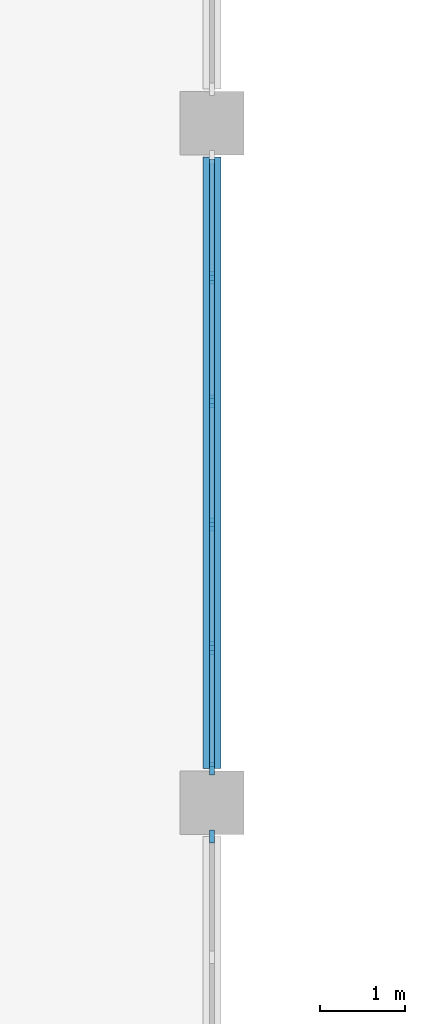
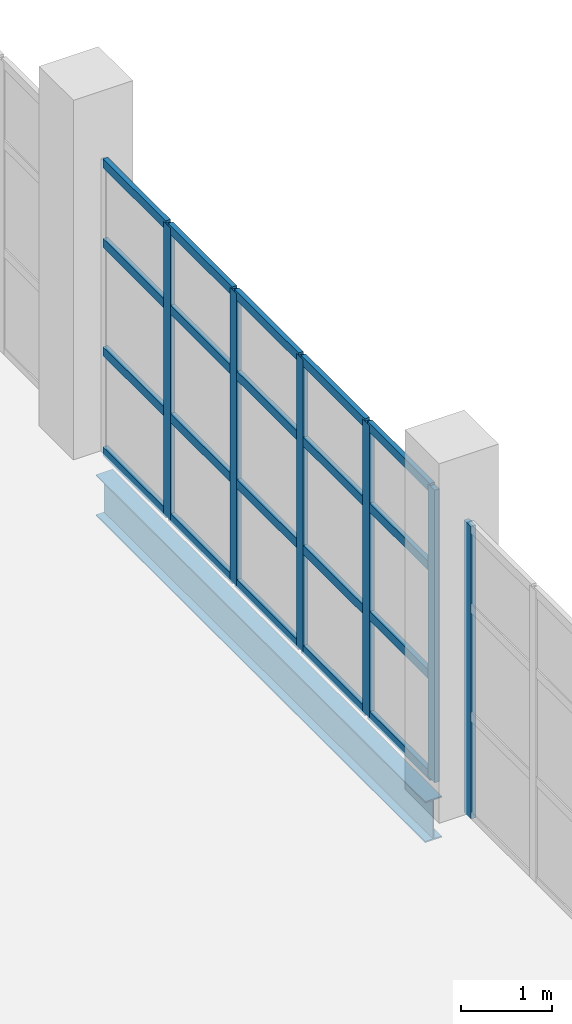
# One storey, part 23 of 93: 26 members, 1 beam, 2 elements without a shape of their own.
"""IFC4 building model written with IfcOpenShell, lengths in metres."""

from ifc_helpers import new_model, si_unit, direction, frame, origin, origin_2d, place, context, subcontext, project, spatial, rectangle, i_section, extrude, material, layer, layer_set, material_profile, profile_set, type_object, element, aggregate, save


model = new_model("IFC4")

# Units and contexts
model_context = context("Model", 3, precision=1e-05, world=origin(), true_north=direction((0.0, 1.0)))
body_context = subcontext(model_context, "Body", "Model", "MODEL_VIEW")
ifc_project = project(units=[si_unit("LENGTHUNIT", "METRE"), si_unit("AREAUNIT", "SQUARE_METRE"), si_unit("VOLUMEUNIT", "CUBIC_METRE"), si_unit("PLANEANGLEUNIT", "RADIAN"), si_unit("MASSUNIT", "GRAM", prefix="KILO")], contexts=[model_context])

# Site, building, storey
site_placement = place(None, origin())
site = spatial("IfcSite", under=ifc_project, at=site_placement, CompositionType="ELEMENT")
building_placement = place(site_placement, origin())
building = spatial("IfcBuilding", under=site, at=building_placement, Name="Drelvana Railside Aquatics Centre", CompositionType="ELEMENT")
storey_placement = place(building_placement, frame((0.0, 0.0, 5.39990234375)))
storey = spatial("IfcBuildingStorey", under=building, at=storey_placement, Name="L01", CompositionType="ELEMENT", Elevation=5.39990234375)

# Curtain wall, member
ifc_material_1 = material(Name="Bronze-anodised aluminium curtain wall", Category="aluminium")
ifc_layer = layer(ifc_material_1, 0.1650390625, Name="Bronze-anodised aluminium curtain wall")
ifc_layer_set = layer_set([ifc_layer], Name="Bronze-anodised aluminium curtain wall")
curtain_wall_type = type_object("IfcCurtainWallType", Name="CW-Z5-COURT", PredefinedType="NOTDEFINED", material=ifc_layer_set)
curtain_wall_1_placement = place(storey_placement, origin())
curtain_wall_1 = element("IfcCurtainWall", 1, at=curtain_wall_1_placement, inside=storey, type_object=curtain_wall_type, Name="Curtain wall CW-05-067", PredefinedType="NOTDEFINED")
ifc_material_2 = material(Name="Bronze-anodised aluminium 6063-T6", Category="aluminium")
ifc_material_profile_1 = material_profile(ifc_material_2, rectangle(XDim=0.06005859375, YDim=0.14990234375, at=origin_2d()), Name="ALU-M 60x150")
ifc_profile_set_1 = profile_set([ifc_material_profile_1], Name="Bronze-anodised aluminium 6063-T6")
member_type_1 = type_object("IfcMemberType", Name="CW-Z5-COURT-MUL", PredefinedType="MULLION", material=ifc_profile_set_1)
member_1_placement = place(storey_placement, frame((96.0, 55.60107421875, -0.005859375), z_axis=(0.0, 0.0, 1.0), x_axis=(-1.0, 0.0, 0.0)))
member_1 = element("IfcMember", 2, at=member_1_placement, type_object=member_type_1, Name="CW-05 mullion 6", PredefinedType="MULLION", context=body_context, shape_type="SweptSolid", body=[
    extrude(rectangle(XDim=0.06005859375, YDim=0.14990234375, at=origin_2d()), origin(), (0.0, 0.0, 1.0), 3.906005859375),
])
aggregate(curtain_wall_1, [member_1])

# Curtain wall, members
curtain_wall_2_placement = place(storey_placement, origin())
curtain_wall_2 = element("IfcCurtainWall", 3, at=curtain_wall_2_placement, inside=storey, type_object=curtain_wall_type, Name="Curtain wall CW-05-071", PredefinedType="NOTDEFINED")
member_2_placement = place(storey_placement, frame((96.0, 56.39892578125, -0.005859375), z_axis=(0.0, 0.0, 1.0), x_axis=(-1.0, 0.0, 0.0)))
member_2 = element("IfcMember", 4, at=member_2_placement, type_object=member_type_1, Name="CW-05 mullion 1", PredefinedType="MULLION", context=body_context, shape_type="SweptSolid", body=[
    extrude(rectangle(XDim=0.06005859375, YDim=0.14990234375, at=origin_2d()), origin(), (0.0, 0.0, 1.0), 3.906005859375),
])
member_3_placement = place(storey_placement, frame((96.0, 57.8212890625, -0.005859375), z_axis=(0.0, 0.0, 1.0), x_axis=(-1.0, 0.0, 0.0)))
member_3 = element("IfcMember", 5, at=member_3_placement, type_object=member_type_1, Name="CW-05 mullion 2", PredefinedType="MULLION", context=body_context, shape_type="SweptSolid", body=[
    extrude(rectangle(XDim=0.06005859375, YDim=0.14990234375, at=origin_2d()), origin(), (0.0, 0.0, 1.0), 3.906005859375),
])
member_4_placement = place(storey_placement, frame((96.0, 59.273681640625, -0.005859375), z_axis=(0.0, 0.0, 1.0), x_axis=(-1.0, 0.0, 0.0)))
member_4 = element("IfcMember", 6, at=member_4_placement, type_object=member_type_1, Name="CW-05 mullion 3", PredefinedType="MULLION", context=body_context, shape_type="SweptSolid", body=[
    extrude(rectangle(XDim=0.06005859375, YDim=0.14990234375, at=origin_2d()), origin(), (0.0, 0.0, 1.0), 3.906005859375),
])
member_5_placement = place(storey_placement, frame((96.0, 60.726318359375, -0.005859375), z_axis=(0.0, 0.0, 1.0), x_axis=(-1.0, 0.0, 0.0)))
member_5 = element("IfcMember", 7, at=member_5_placement, type_object=member_type_1, Name="CW-05 mullion 4", PredefinedType="MULLION", context=body_context, shape_type="SweptSolid", body=[
    extrude(rectangle(XDim=0.06005859375, YDim=0.14990234375, at=origin_2d()), origin(), (0.0, 0.0, 1.0), 3.906005859375),
])
member_6_placement = place(storey_placement, frame((96.0, 62.1787109375, -0.005859375), z_axis=(0.0, 0.0, 1.0), x_axis=(-1.0, 0.0, 0.0)))
member_6 = element("IfcMember", 8, at=member_6_placement, type_object=member_type_1, Name="CW-05 mullion 5", PredefinedType="MULLION", context=body_context, shape_type="SweptSolid", body=[
    extrude(rectangle(XDim=0.06005859375, YDim=0.14990234375, at=origin_2d()), origin(), (0.0, 0.0, 1.0), 3.906005859375),
])
ifc_material_profile_2 = material_profile(ifc_material_2, rectangle(XDim=0.1201171875, YDim=0.06005859375, at=origin_2d()), Name="ALU-T 60x120")
ifc_profile_set_2 = profile_set([ifc_material_profile_2], Name="Bronze-anodised aluminium 6063-T6")
member_type_2 = type_object("IfcMemberType", Name="CW-Z5-COURT-TRN", PredefinedType="USERDEFINED", material=ifc_profile_set_2)
member_7_placement = place(storey_placement, frame((96.0, 56.424072265625, 0.024169921875), z_axis=(0.0, 1.0, 0.0), x_axis=(0.0, 0.0, 1.0)))
member_7 = element("IfcMember", 9, at=member_7_placement, type_object=member_type_2, Name="CW-05 transom 1.1", ObjectType="TRANSOM", PredefinedType="USERDEFINED", context=body_context, shape_type="SweptSolid", body=[
    extrude(rectangle(XDim=0.1201171875, YDim=0.06005859375, at=origin_2d()), origin(), (0.0, 0.0, 1.0), 1.372314453125),
])
member_8_placement = place(storey_placement, frame((96.0, 56.424072265625, 1.361083984375), z_axis=(0.0, 1.0, 0.0), x_axis=(0.0, 0.0, 1.0)))
member_8 = element("IfcMember", 10, at=member_8_placement, type_object=member_type_2, Name="CW-05 transom 1.2", ObjectType="TRANSOM", PredefinedType="USERDEFINED", context=body_context, shape_type="SweptSolid", body=[
    extrude(rectangle(XDim=0.1201171875, YDim=0.06005859375, at=origin_2d()), origin(), (0.0, 0.0, 1.0), 1.372314453125),
])
member_9_placement = place(storey_placement, frame((96.0, 56.424072265625, 2.80615234375), z_axis=(0.0, 1.0, 0.0), x_axis=(0.0, 0.0, 1.0)))
member_9 = element("IfcMember", 11, at=member_9_placement, type_object=member_type_2, Name="CW-05 transom 1.3", ObjectType="TRANSOM", PredefinedType="USERDEFINED", context=body_context, shape_type="SweptSolid", body=[
    extrude(rectangle(XDim=0.1201171875, YDim=0.06005859375, at=origin_2d()), origin(), (0.0, 0.0, 1.0), 1.372314453125),
])
member_10_placement = place(storey_placement, frame((96.0, 56.424072265625, 3.8701171875), z_axis=(0.0, 1.0, 0.0), x_axis=(0.0, 0.0, 1.0)))
member_10 = element("IfcMember", 12, at=member_10_placement, type_object=member_type_2, Name="CW-05 transom 1.4", ObjectType="TRANSOM", PredefinedType="USERDEFINED", context=body_context, shape_type="SweptSolid", body=[
    extrude(rectangle(XDim=0.1201171875, YDim=0.06005859375, at=origin_2d()), origin(), (0.0, 0.0, 1.0), 1.372314453125),
])
member_11_placement = place(storey_placement, frame((96.0, 57.846435546875, 0.024169921875), z_axis=(0.0, 1.0, 0.0), x_axis=(0.0, 0.0, 1.0)))
member_11 = element("IfcMember", 13, at=member_11_placement, type_object=member_type_2, Name="CW-05 transom 2.1", ObjectType="TRANSOM", PredefinedType="USERDEFINED", context=body_context, shape_type="SweptSolid", body=[
    extrude(rectangle(XDim=0.1201171875, YDim=0.06005859375, at=origin_2d()), origin(), (0.0, 0.0, 1.0), 1.40234375),
])
member_12_placement = place(storey_placement, frame((96.0, 57.846435546875, 1.361083984375), z_axis=(0.0, 1.0, 0.0), x_axis=(0.0, 0.0, 1.0)))
member_12 = element("IfcMember", 14, at=member_12_placement, type_object=member_type_2, Name="CW-05 transom 2.2", ObjectType="TRANSOM", PredefinedType="USERDEFINED", context=body_context, shape_type="SweptSolid", body=[
    extrude(rectangle(XDim=0.1201171875, YDim=0.06005859375, at=origin_2d()), origin(), (0.0, 0.0, 1.0), 1.40234375),
])
member_13_placement = place(storey_placement, frame((96.0, 57.846435546875, 2.80615234375), z_axis=(0.0, 1.0, 0.0), x_axis=(0.0, 0.0, 1.0)))
member_13 = element("IfcMember", 15, at=member_13_placement, type_object=member_type_2, Name="CW-05 transom 2.3", ObjectType="TRANSOM", PredefinedType="USERDEFINED", context=body_context, shape_type="SweptSolid", body=[
    extrude(rectangle(XDim=0.1201171875, YDim=0.06005859375, at=origin_2d()), origin(), (0.0, 0.0, 1.0), 1.40234375),
])
member_14_placement = place(storey_placement, frame((96.0, 57.846435546875, 3.8701171875), z_axis=(0.0, 1.0, 0.0), x_axis=(0.0, 0.0, 1.0)))
member_14 = element("IfcMember", 16, at=member_14_placement, type_object=member_type_2, Name="CW-05 transom 2.4", ObjectType="TRANSOM", PredefinedType="USERDEFINED", context=body_context, shape_type="SweptSolid", body=[
    extrude(rectangle(XDim=0.1201171875, YDim=0.06005859375, at=origin_2d()), origin(), (0.0, 0.0, 1.0), 1.40234375),
])
member_15_placement = place(storey_placement, frame((96.0, 59.298828125, 0.024169921875), z_axis=(0.0, 1.0, 0.0), x_axis=(0.0, 0.0, 1.0)))
member_15 = element("IfcMember", 17, at=member_15_placement, type_object=member_type_2, Name="CW-05 transom 3.1", ObjectType="TRANSOM", PredefinedType="USERDEFINED", context=body_context, shape_type="SweptSolid", body=[
    extrude(rectangle(XDim=0.1201171875, YDim=0.06005859375, at=origin_2d()), origin(), (0.0, 0.0, 1.0), 1.40234375),
])
member_16_placement = place(storey_placement, frame((96.0, 59.298828125, 1.361083984375), z_axis=(0.0, 1.0, 0.0), x_axis=(0.0, 0.0, 1.0)))
member_16 = element("IfcMember", 18, at=member_16_placement, type_object=member_type_2, Name="CW-05 transom 3.2", ObjectType="TRANSOM", PredefinedType="USERDEFINED", context=body_context, shape_type="SweptSolid", body=[
    extrude(rectangle(XDim=0.1201171875, YDim=0.06005859375, at=origin_2d()), origin(), (0.0, 0.0, 1.0), 1.40234375),
])
member_17_placement = place(storey_placement, frame((96.0, 59.298828125, 2.80615234375), z_axis=(0.0, 1.0, 0.0), x_axis=(0.0, 0.0, 1.0)))
member_17 = element("IfcMember", 19, at=member_17_placement, type_object=member_type_2, Name="CW-05 transom 3.3", ObjectType="TRANSOM", PredefinedType="USERDEFINED", context=body_context, shape_type="SweptSolid", body=[
    extrude(rectangle(XDim=0.1201171875, YDim=0.06005859375, at=origin_2d()), origin(), (0.0, 0.0, 1.0), 1.40234375),
])
member_18_placement = place(storey_placement, frame((96.0, 59.298828125, 3.8701171875), z_axis=(0.0, 1.0, 0.0), x_axis=(0.0, 0.0, 1.0)))
member_18 = element("IfcMember", 20, at=member_18_placement, type_object=member_type_2, Name="CW-05 transom 3.4", ObjectType="TRANSOM", PredefinedType="USERDEFINED", context=body_context, shape_type="SweptSolid", body=[
    extrude(rectangle(XDim=0.1201171875, YDim=0.06005859375, at=origin_2d()), origin(), (0.0, 0.0, 1.0), 1.40234375),
])
member_19_placement = place(storey_placement, frame((96.0, 60.751220703125, 0.024169921875), z_axis=(0.0, 1.0, 0.0), x_axis=(0.0, 0.0, 1.0)))
member_19 = element("IfcMember", 21, at=member_19_placement, type_object=member_type_2, Name="CW-05 transom 4.1", ObjectType="TRANSOM", PredefinedType="USERDEFINED", context=body_context, shape_type="SweptSolid", body=[
    extrude(rectangle(XDim=0.1201171875, YDim=0.06005859375, at=origin_2d()), origin(), (0.0, 0.0, 1.0), 1.40234375),
])
member_20_placement = place(storey_placement, frame((96.0, 60.751220703125, 1.361083984375), z_axis=(0.0, 1.0, 0.0), x_axis=(0.0, 0.0, 1.0)))
member_20 = element("IfcMember", 22, at=member_20_placement, type_object=member_type_2, Name="CW-05 transom 4.2", ObjectType="TRANSOM", PredefinedType="USERDEFINED", context=body_context, shape_type="SweptSolid", body=[
    extrude(rectangle(XDim=0.1201171875, YDim=0.06005859375, at=origin_2d()), origin(), (0.0, 0.0, 1.0), 1.40234375),
])
member_21_placement = place(storey_placement, frame((96.0, 60.751220703125, 2.80615234375), z_axis=(0.0, 1.0, 0.0), x_axis=(0.0, 0.0, 1.0)))
member_21 = element("IfcMember", 23, at=member_21_placement, type_object=member_type_2, Name="CW-05 transom 4.3", ObjectType="TRANSOM", PredefinedType="USERDEFINED", context=body_context, shape_type="SweptSolid", body=[
    extrude(rectangle(XDim=0.1201171875, YDim=0.06005859375, at=origin_2d()), origin(), (0.0, 0.0, 1.0), 1.40234375),
])
member_22_placement = place(storey_placement, frame((96.0, 60.751220703125, 3.8701171875), z_axis=(0.0, 1.0, 0.0), x_axis=(0.0, 0.0, 1.0)))
member_22 = element("IfcMember", 24, at=member_22_placement, type_object=member_type_2, Name="CW-05 transom 4.4", ObjectType="TRANSOM", PredefinedType="USERDEFINED", context=body_context, shape_type="SweptSolid", body=[
    extrude(rectangle(XDim=0.1201171875, YDim=0.06005859375, at=origin_2d()), origin(), (0.0, 0.0, 1.0), 1.40234375),
])
member_23_placement = place(storey_placement, frame((96.0, 62.20361328125, 0.024169921875), z_axis=(0.0, 1.0, 0.0), x_axis=(0.0, 0.0, 1.0)))
member_23 = element("IfcMember", 25, at=member_23_placement, type_object=member_type_2, Name="CW-05 transom 5.1", ObjectType="TRANSOM", PredefinedType="USERDEFINED", context=body_context, shape_type="SweptSolid", body=[
    extrude(rectangle(XDim=0.1201171875, YDim=0.06005859375, at=origin_2d()), origin(), (0.0, 0.0, 1.0), 1.372314453125),
])
member_24_placement = place(storey_placement, frame((96.0, 62.20361328125, 1.361083984375), z_axis=(0.0, 1.0, 0.0), x_axis=(0.0, 0.0, 1.0)))
member_24 = element("IfcMember", 26, at=member_24_placement, type_object=member_type_2, Name="CW-05 transom 5.2", ObjectType="TRANSOM", PredefinedType="USERDEFINED", context=body_context, shape_type="SweptSolid", body=[
    extrude(rectangle(XDim=0.1201171875, YDim=0.06005859375, at=origin_2d()), origin(), (0.0, 0.0, 1.0), 1.372314453125),
])
member_25_placement = place(storey_placement, frame((96.0, 62.20361328125, 2.80615234375), z_axis=(0.0, 1.0, 0.0), x_axis=(0.0, 0.0, 1.0)))
member_25 = element("IfcMember", 27, at=member_25_placement, type_object=member_type_2, Name="CW-05 transom 5.3", ObjectType="TRANSOM", PredefinedType="USERDEFINED", context=body_context, shape_type="SweptSolid", body=[
    extrude(rectangle(XDim=0.1201171875, YDim=0.06005859375, at=origin_2d()), origin(), (0.0, 0.0, 1.0), 1.372314453125),
])
member_26_placement = place(storey_placement, frame((96.0, 62.20361328125, 3.8701171875), z_axis=(0.0, 1.0, 0.0), x_axis=(0.0, 0.0, 1.0)))
member_26 = element("IfcMember", 28, at=member_26_placement, type_object=member_type_2, Name="CW-05 transom 5.4", ObjectType="TRANSOM", PredefinedType="USERDEFINED", context=body_context, shape_type="SweptSolid", body=[
    extrude(rectangle(XDim=0.1201171875, YDim=0.06005859375, at=origin_2d()), origin(), (0.0, 0.0, 1.0), 1.372314453125),
])
aggregate(curtain_wall_2, [member_2, member_3, member_4, member_5, member_6, member_7, member_8, member_9, member_10, member_11, member_12, member_13, member_14, member_15, member_16, member_17, member_18, member_19, member_20, member_21, member_22, member_23, member_24, member_25, member_26])

# Beam
ifc_material_3 = material(Name="Structural steel S355", Category="steel")
ifc_material_profile_3 = material_profile(ifc_material_3, i_section(OverallWidth=0.2099609375, OverallDepth=0.550048828125, WebThickness=0.010986328125, FlangeThickness=0.01708984375, at=origin_2d()), Name="IPE 550")
ifc_profile_set_3 = profile_set([ifc_material_profile_3], Name="Structural steel S355")
beam_type = type_object("IfcBeamType", Name="STR-SBM-SB-04-IPE-550", PredefinedType="SPANDREL", material=ifc_profile_set_3)
beam_placement = place(storey_placement, frame((96.0, 56.39990234375, -0.5498046875), z_axis=(0.0, 1.0, 0.0), x_axis=(-1.0, 0.0, 0.0)))
element("IfcBeam", 29, at=beam_placement, inside=storey, type_object=beam_type, Name="Girder SB-04 (L01)", PredefinedType="SPANDREL", context=body_context, shape_type="SweptSolid", body=[
    extrude(i_section(OverallWidth=0.2099609375, OverallDepth=0.550048828125, WebThickness=0.010986328125, FlangeThickness=0.01708984375, at=origin_2d()), origin(), (0.0, 0.0, 1.0), 7.2001953125),
])

save(model, "model.ifc")
